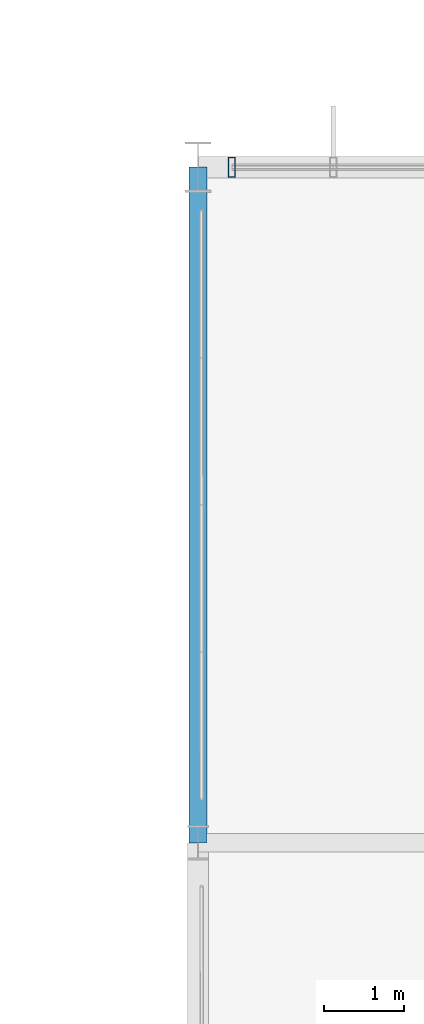
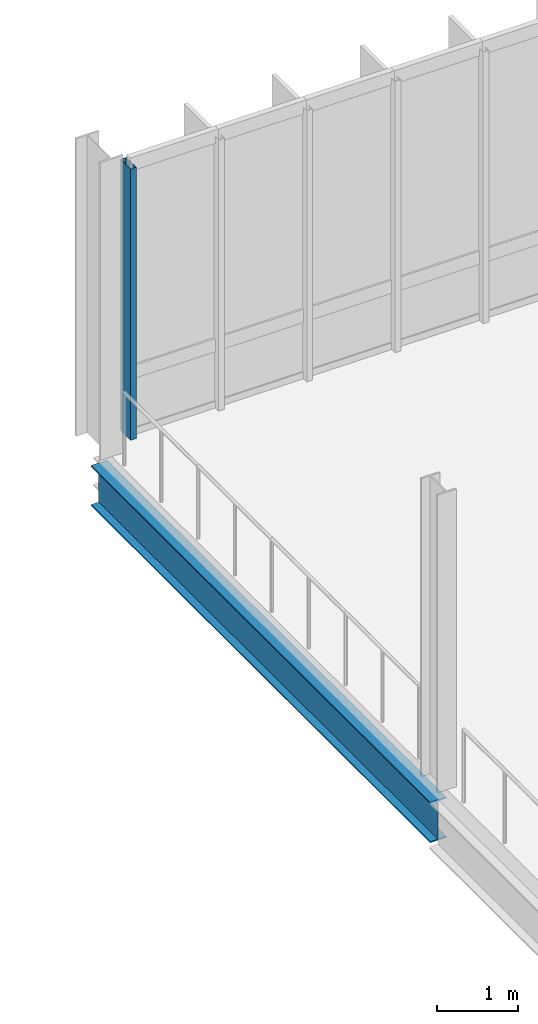
# One storey, part 59 of 139: 1 beam, 1 member, 1 element without a shape of its own.
"""IFC4 building model written with IfcOpenShell, lengths in metres."""

from ifc_helpers import new_model, si_unit, derived_unit, direction, frame, origin, origin_2d, place, context, subcontext, project, spatial, hollow_rectangle, i_section, extrude, material, layer, layer_set, material_profile, profile_set, type_object, element, aggregate, save


model = new_model("IFC4")

# Units and contexts
model_context = context("Model", 3, precision=1e-05, world=origin(), true_north=direction((0.0, 1.0)))
body_context = subcontext(model_context, "Body", "Model", "MODEL_VIEW")
ifc_project = project(units=[si_unit("LENGTHUNIT", "METRE"), si_unit("AREAUNIT", "SQUARE_METRE"), si_unit("VOLUMEUNIT", "CUBIC_METRE"), si_unit("PLANEANGLEUNIT", "RADIAN"), si_unit("MASSUNIT", "GRAM", prefix="KILO"), derived_unit("THERMALTRANSMITTANCEUNIT", [(si_unit("MASSUNIT", "GRAM", prefix="KILO"), 1), (si_unit("TIMEUNIT", "SECOND"), -3), (si_unit("THERMODYNAMICTEMPERATUREUNIT", "KELVIN"), -1)])], contexts=[model_context])

# Site, building, storey
site_placement = place(None, origin())
site = spatial("IfcSite", under=ifc_project, at=site_placement, CompositionType="ELEMENT")
building_placement = place(site_placement, origin())
building = spatial("IfcBuilding", under=site, at=building_placement, Name="Makaiwela Harbour Ferry Terminal", CompositionType="ELEMENT")
storey_placement = place(building_placement, frame((0.0, 0.0, 5.10009765625)))
storey = spatial("IfcBuildingStorey", under=building, at=storey_placement, Name="L01", CompositionType="ELEMENT", Elevation=5.10009765625)

# Curtain wall, member
ifc_material_1 = material(Name="Marine anodised aluminium 6063-T6", Category="aluminium")
ifc_layer = layer(ifc_material_1, 0.199951171875)
ifc_layer_set = layer_set([ifc_layer], Name="Marine anodised aluminium 6063-T6")
curtain_wall_type = type_object("IfcCurtainWallType", Name="ENV-CW-08", PredefinedType="USERDEFINED", material=ifc_layer_set)
curtain_wall_placement = place(storey_placement, origin())
curtain_wall = element("IfcCurtainWall", 1, at=curtain_wall_placement, inside=storey, type_object=curtain_wall_type, Name="Unitised Curtain Wall CWA-072", ObjectType="UNITIZED CURTAIN WALL", PredefinedType="USERDEFINED")
ifc_material_profile_1 = material_profile(ifc_material_1, hollow_rectangle(XDim=0.0849609375, YDim=0.25, WallThickness=0.0048828125, at=origin_2d()), Name="CWM-250X85")
ifc_profile_set_1 = profile_set([ifc_material_profile_1], Name="Marine anodised aluminium 6063-T6")
member_type = type_object("IfcMemberType", Name="CW-MUL-250", PredefinedType="MULLION", material=ifc_profile_set_1)
member_placement = place(storey_placement, frame((63.419921875, 103.39990234375, 0.0), z_axis=(0.0, 0.0, 1.0), x_axis=(1.0, 0.0, 0.0)))
member = element("IfcMember", 2, at=member_placement, type_object=member_type, Name="Curtain Wall Mullion CWA-072-1", PredefinedType="MULLION", context=body_context, shape_type="SweptSolid", body=[
    extrude(hollow_rectangle(XDim=0.0849609375, YDim=0.25, WallThickness=0.0048828125, at=origin_2d()), origin(), (0.0, 0.0, 1.0), 4.099853515625),
])
aggregate(curtain_wall, [member])

# Beam
ifc_material_2 = material(Name="Steel ASTM A992 Grade 50", Category="steel")
ifc_material_profile_2 = material_profile(ifc_material_2, i_section(OverallWidth=0.22900390625, OverallDepth=0.612060546875, WebThickness=0.011962890625, FlangeThickness=0.01953125, at=origin_2d()), Name="W24X84")
ifc_profile_set_2 = profile_set([ifc_material_profile_2], Name="Steel ASTM A992 Grade 50")
beam_type = type_object("IfcBeamType", Name="STR-GRD-W24X84", PredefinedType="USERDEFINED", material=ifc_profile_set_2)
beam_placement = place(storey_placement, frame((63.0, 95.0, -0.586181640625), z_axis=(0.0, 1.0, 0.0), x_axis=(-1.0, 0.0, 0.0)))
element("IfcBeam", 3, at=beam_placement, inside=storey, type_object=beam_type, Name="Primary Y girder 933", ObjectType="GIRDER", PredefinedType="USERDEFINED", context=body_context, shape_type="SweptSolid", body=[
    extrude(i_section(OverallWidth=0.22900390625, OverallDepth=0.612060546875, WebThickness=0.011962890625, FlangeThickness=0.01953125, at=origin_2d()), origin(), (0.0, 0.0, 1.0), 8.39990234375),
])

save(model, "model.ifc")
